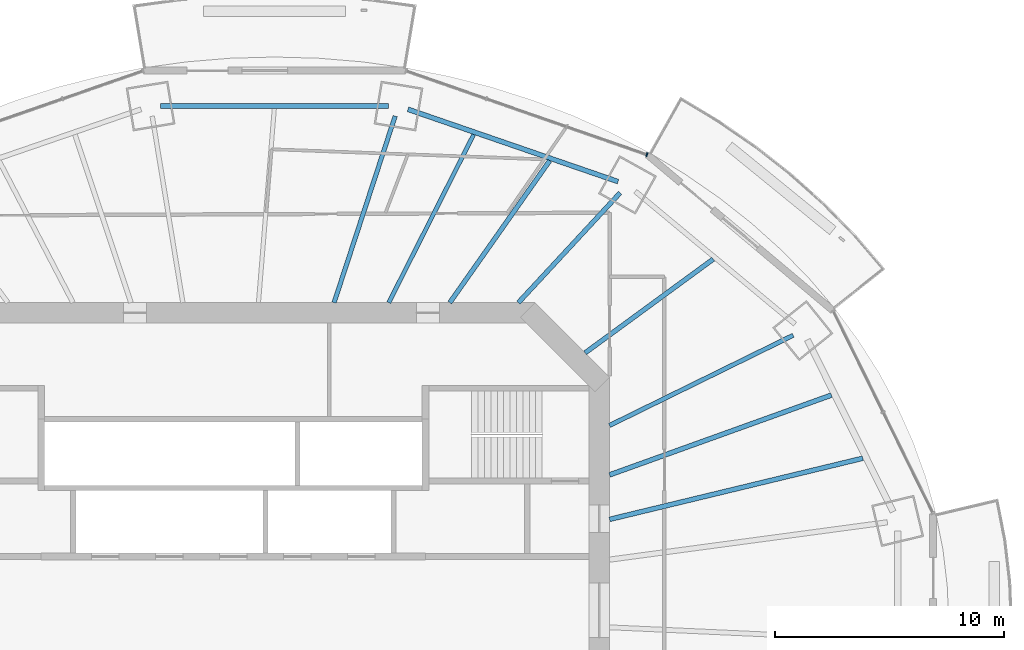
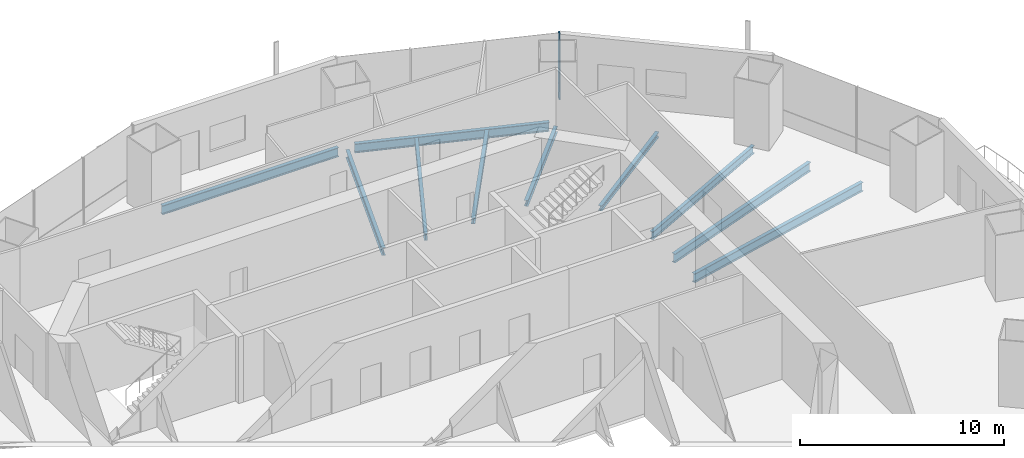
# One storey, part 7 of 18: 10 beams, 1 member, 1 element without a shape of its own.
"""IFC4 building model written with IfcOpenShell, lengths in metres."""

from ifc_helpers import new_model, si_unit, direction, frame, origin, origin_2d, place, context, subcontext, project, spatial, rectangle, i_section, extrude, material, material_profile, profile_set, type_object, element, aggregate, save


model = new_model("IFC4")

# Units and contexts
model_context = context("Model", 3, precision=1e-05, world=origin(), true_north=direction((0.0, 1.0)))
body_context = subcontext(model_context, "Body", "Model", "MODEL_VIEW")
ifc_project = project(units=[si_unit("LENGTHUNIT", "METRE"), si_unit("AREAUNIT", "SQUARE_METRE"), si_unit("VOLUMEUNIT", "CUBIC_METRE"), si_unit("PLANEANGLEUNIT", "RADIAN"), si_unit("MASSUNIT", "GRAM", prefix="KILO")], contexts=[model_context])

# Site, building, storey
site_placement = place(None, origin())
site = spatial("IfcSite", under=ifc_project, at=site_placement, CompositionType="ELEMENT")
building_placement = place(site_placement, origin())
building = spatial("IfcBuilding", under=site, at=building_placement, Name="Marenthal Gate Tower", CompositionType="ELEMENT")
storey_placement = place(building_placement, frame((0.0, 0.0, 264.800048828125)))
storey = spatial("IfcBuildingStorey", under=building, at=storey_placement, Name="L59", CompositionType="ELEMENT", Elevation=264.800048828125)

# Curtain wall, member
ifc_material_1 = material(Name="Aluminium and glass", Category="aluminium")
curtain_wall_type = type_object("IfcCurtainWallType", Name="Curtain wall typical mid", PredefinedType="NOTDEFINED", material=ifc_material_1)
curtain_wall_placement = place(storey_placement, origin())
curtain_wall = element("IfcCurtainWall", 1, at=curtain_wall_placement, inside=storey, type_object=curtain_wall_type, Name="Curtain wall L59 bay 3", PredefinedType="NOTDEFINED")
ifc_material_2 = material(Name="Aluminium", Category="aluminium")
ifc_material_profile_1 = material_profile(ifc_material_2, rectangle(XDim=0.179931640625, YDim=0.06005859375, at=origin_2d()), Name="60x180 aluminium mullion")
ifc_profile_set_1 = profile_set([ifc_material_profile_1], Name="Aluminium")
member_type = type_object("IfcMemberType", Name="Mullion 60x180 typical mid", PredefinedType="MULLION", material=ifc_profile_set_1)
member_placement = place(storey_placement, frame((18.083740234375, 19.920654296875, 0.0), z_axis=(0.0, 0.0, 1.0), x_axis=(-0.328669787971, -0.944444900709, 0.0)))
member = element("IfcMember", 2, at=member_placement, type_object=member_type, Name="Mullion L59 bay 3.1", PredefinedType="MULLION", context=body_context, shape_type="SweptSolid", body=[
    extrude(rectangle(XDim=0.179931640625, YDim=0.06005859375, at=origin_2d()), origin(), (0.0, 0.0, 1.0), 3.969970703125),
])
aggregate(curtain_wall, [member])

# Beams
ifc_material_3 = material(Name="Steel S355", Category="steel")
ifc_material_profile_2 = material_profile(ifc_material_3, i_section(OverallWidth=0.205078125, OverallDepth=0.31005859375, WebThickness=0.009521484375, FlangeThickness=0.016357421875, FilletRadius=0.0126953125, at=origin_2d()), Name="W310X74")
ifc_profile_set_2 = profile_set([ifc_material_profile_2], Name="Steel S355")
beam_type_1 = type_object("IfcBeamType", Name="W310X74 beam", PredefinedType="BEAM", material=ifc_profile_set_2)
beam_1_placement = place(storey_placement, frame((20.978515625, 15.347412109375, -0.3349609375), z_axis=(-0.80707616392, -0.590447343657, 0.0), x_axis=(0.590447343657, -0.80707616392, 0.0)))
element("IfcBeam", 3, at=beam_1_placement, inside=storey, type_object=beam_type_1, Name="BM-L59-19", PredefinedType="BEAM", context=body_context, shape_type="SweptSolid", body=[
    extrude(i_section(OverallWidth=0.205078125, OverallDepth=0.31005859375, WebThickness=0.009521484375, FlangeThickness=0.016357421875, FilletRadius=0.0126953125, at=origin_2d()), origin(), (0.0, 0.0, 1.0), 6.933349609375),
])
ifc_material_4 = material(Name="Steel S355", Category="steel")
ifc_material_profile_3 = material_profile(ifc_material_4, i_section(OverallWidth=0.205078125, OverallDepth=0.35302734375, WebThickness=0.009521484375, FlangeThickness=0.016845703125, FilletRadius=0.014892578125, at=origin_2d()), Name="W360X79")
ifc_profile_set_3 = profile_set([ifc_material_profile_3], Name="Steel S355")
beam_type_2 = type_object("IfcBeamType", Name="W360X79 beam", PredefinedType="BEAM", material=ifc_profile_set_3)
beam_2_placement = place(storey_placement, frame((16.9091796875, 18.246337890625, -0.3564453125), z_axis=(-0.679714700856, -0.733476601836, 0.0), x_axis=(0.733476601836, -0.679714700856, 0.0)))
element("IfcBeam", 4, at=beam_2_placement, inside=storey, type_object=beam_type_2, Name="BM-L59-03", PredefinedType="BEAM", context=body_context, shape_type="SweptSolid", body=[
    extrude(i_section(OverallWidth=0.205078125, OverallDepth=0.35302734375, WebThickness=0.009521484375, FlangeThickness=0.016845703125, FilletRadius=0.014892578125, at=origin_2d()), origin(), (0.0, 0.0, 1.0), 6.539306640625),
])
beam_3_placement = place(storey_placement, frame((13.83251953125, 19.656005859375, -0.3564453125), z_axis=(-0.5754902185, -0.81780866247, 0.0), x_axis=(0.81780866247, -0.5754902185, 0.0)))
element("IfcBeam", 5, at=beam_3_placement, inside=storey, type_object=beam_type_2, Name="BM-L59-20", PredefinedType="BEAM", context=body_context, shape_type="SweptSolid", body=[
    extrude(i_section(OverallWidth=0.205078125, OverallDepth=0.35302734375, WebThickness=0.009521484375, FlangeThickness=0.016845703125, FilletRadius=0.014892578125, at=origin_2d()), origin(), (0.0, 0.0, 1.0), 7.588623046875),
])
ifc_material_5 = material(Name="Steel S355", Category="steel")
ifc_material_profile_4 = material_profile(ifc_material_5, i_section(OverallWidth=0.180908203125, OverallDepth=0.4169921875, WebThickness=0.010986328125, FlangeThickness=0.018310546875, FilletRadius=0.01025390625, at=origin_2d()), Name="W410X85")
ifc_profile_set_4 = profile_set([ifc_material_profile_4], Name="Steel S355")
beam_type_3 = type_object("IfcBeamType", Name="W410X85 beam", PredefinedType="BEAM", material=ifc_profile_set_4)
beam_4_placement = place(storey_placement, frame((10.509765625, 20.7998046875, -0.388427734375), z_axis=(-0.450992572865, -0.892527702215, 0.0), x_axis=(0.892527702215, -0.450992572865, 0.0)))
element("IfcBeam", 6, at=beam_4_placement, inside=storey, type_object=beam_type_3, Name="BM-L59-21", PredefinedType="BEAM", context=body_context, shape_type="SweptSolid", body=[
    extrude(i_section(OverallWidth=0.180908203125, OverallDepth=0.4169921875, WebThickness=0.010986328125, FlangeThickness=0.018310546875, FilletRadius=0.01025390625, at=origin_2d()), origin(), (0.0, 0.0, 1.0), 8.23486328125),
])
ifc_material_6 = material(Name="Steel S355", Category="steel")
ifc_material_profile_5 = material_profile(ifc_material_6, i_section(OverallWidth=0.193115234375, OverallDepth=0.467041015625, WebThickness=0.011474609375, FlangeThickness=0.01904296875, FilletRadius=0.010009765625, at=origin_2d()), Name="W460X97")
ifc_profile_set_5 = profile_set([ifc_material_profile_5], Name="Steel S355")
beam_type_4 = type_object("IfcBeamType", Name="W460X97 beam", PredefinedType="BEAM", material=ifc_profile_set_5)
beam_5_placement = place(storey_placement, frame((24.47412109375, 12.018310546875, -0.41357421875), z_axis=(-0.897610443261, -0.440789623459, 0.0), x_axis=(0.440789623459, -0.897610443261, 0.0)))
element("IfcBeam", 7, at=beam_5_placement, inside=storey, type_object=beam_type_4, Name="BM-L59-02", PredefinedType="BEAM", context=body_context, shape_type="SweptSolid", body=[
    extrude(i_section(OverallWidth=0.193115234375, OverallDepth=0.467041015625, WebThickness=0.011474609375, FlangeThickness=0.01904296875, FilletRadius=0.010009765625, at=origin_2d()), origin(), (0.0, 0.0, 1.0), 8.939453125),
])
beam_6_placement = place(storey_placement, frame((7.076171875, 21.606201171875, -0.41357421875), z_axis=(-0.311231060278, -0.950334271253, 0.0), x_axis=(0.950334271253, -0.311231060278, 0.0)))
element("IfcBeam", 8, at=beam_6_placement, inside=storey, type_object=beam_type_4, Name="BM-L59-04", PredefinedType="BEAM", context=body_context, shape_type="SweptSolid", body=[
    extrude(i_section(OverallWidth=0.193115234375, OverallDepth=0.467041015625, WebThickness=0.011474609375, FlangeThickness=0.01904296875, FilletRadius=0.010009765625, at=origin_2d()), origin(), (0.0, 0.0, 1.0), 8.58251953125),
])
ifc_material_7 = material(Name="Steel S355", Category="steel")
ifc_material_profile_6 = material_profile(ifc_material_7, i_section(OverallWidth=0.2099609375, OverallDepth=0.535888671875, WebThickness=0.010986328125, FlangeThickness=0.017333984375, FilletRadius=0.0126953125, at=origin_2d()), Name="W530X101")
ifc_profile_set_6 = profile_set([ifc_material_profile_6], Name="Steel S355")
beam_type_5 = type_object("IfcBeamType", Name="W530X101 beam", PredefinedType="BEAM", material=ifc_profile_set_6)
beam_7_placement = place(storey_placement, frame((27.525390625, 6.64501953125, -0.447998046875), z_axis=(-0.972073275596, -0.234677538065, 0.0), x_axis=(0.234677538065, -0.972073275596, 0.0)))
element("IfcBeam", 9, at=beam_7_placement, inside=storey, type_object=beam_type_5, Name="BM-L59-17", PredefinedType="BEAM", context=body_context, shape_type="SweptSolid", body=[
    extrude(i_section(OverallWidth=0.2099609375, OverallDepth=0.535888671875, WebThickness=0.010986328125, FlangeThickness=0.017333984375, FilletRadius=0.0126953125, at=origin_2d()), origin(), (0.0, 0.0, 1.0), 11.3935546875),
])
beam_8_placement = place(storey_placement, frame((26.149658203125, 9.4052734375, -0.447998046875), z_axis=(-0.940983990127, -0.338451075231, 0.0), x_axis=(0.338451075231, -0.940983990127, 0.0)))
element("IfcBeam", 10, at=beam_8_placement, inside=storey, type_object=beam_type_5, Name="BM-L59-18", PredefinedType="BEAM", context=body_context, shape_type="SweptSolid", body=[
    extrude(i_section(OverallWidth=0.2099609375, OverallDepth=0.535888671875, WebThickness=0.010986328125, FlangeThickness=0.017333984375, FilletRadius=0.0126953125, at=origin_2d()), origin(), (0.0, 0.0, 1.0), 10.30810546875),
])
ifc_material_8 = material(Name="Steel S355", Category="steel")
ifc_material_profile_7 = material_profile(ifc_material_8, i_section(OverallWidth=0.2119140625, OverallDepth=0.5439453125, WebThickness=0.01318359375, FlangeThickness=0.021240234375, FilletRadius=0.0126953125, at=origin_2d()), Name="W530X123")
ifc_profile_set_7 = profile_set([ifc_material_profile_7], Name="Steel S355")
beam_type_6 = type_object("IfcBeamType", Name="W530X123 beam", PredefinedType="BEAM", material=ifc_profile_set_7)
beam_9_placement = place(storey_placement, frame((16.81884765625, 18.739990234375, -0.4521484375), z_axis=(-0.945541390223, 0.325501888434, 0.0), x_axis=(-0.325501888434, -0.945541390223, 0.0)))
element("IfcBeam", 11, at=beam_9_placement, inside=storey, type_object=beam_type_6, Name="BM-L59-43", PredefinedType="BEAM", context=body_context, shape_type="SweptSolid", body=[
    extrude(i_section(OverallWidth=0.2119140625, OverallDepth=0.5439453125, WebThickness=0.01318359375, FlangeThickness=0.021240234375, FilletRadius=0.0126953125, at=origin_2d()), origin(), (0.0, 0.0, 1.0), 9.7138671875),
])
beam_10_placement = place(storey_placement, frame((6.7822265625, 22.04443359375, -0.4521484375), z_axis=(-1.0, 0.0, 0.0), x_axis=(0.0, -1.0, 0.0)))
element("IfcBeam", 12, at=beam_10_placement, inside=storey, type_object=beam_type_6, Name="BM-L59-44", PredefinedType="BEAM", context=body_context, shape_type="SweptSolid", body=[
    extrude(i_section(OverallWidth=0.2119140625, OverallDepth=0.5439453125, WebThickness=0.01318359375, FlangeThickness=0.021240234375, FilletRadius=0.0126953125, at=origin_2d()), origin(), (0.0, 0.0, 1.0), 9.96435546875),
])

save(model, "model.ifc")
